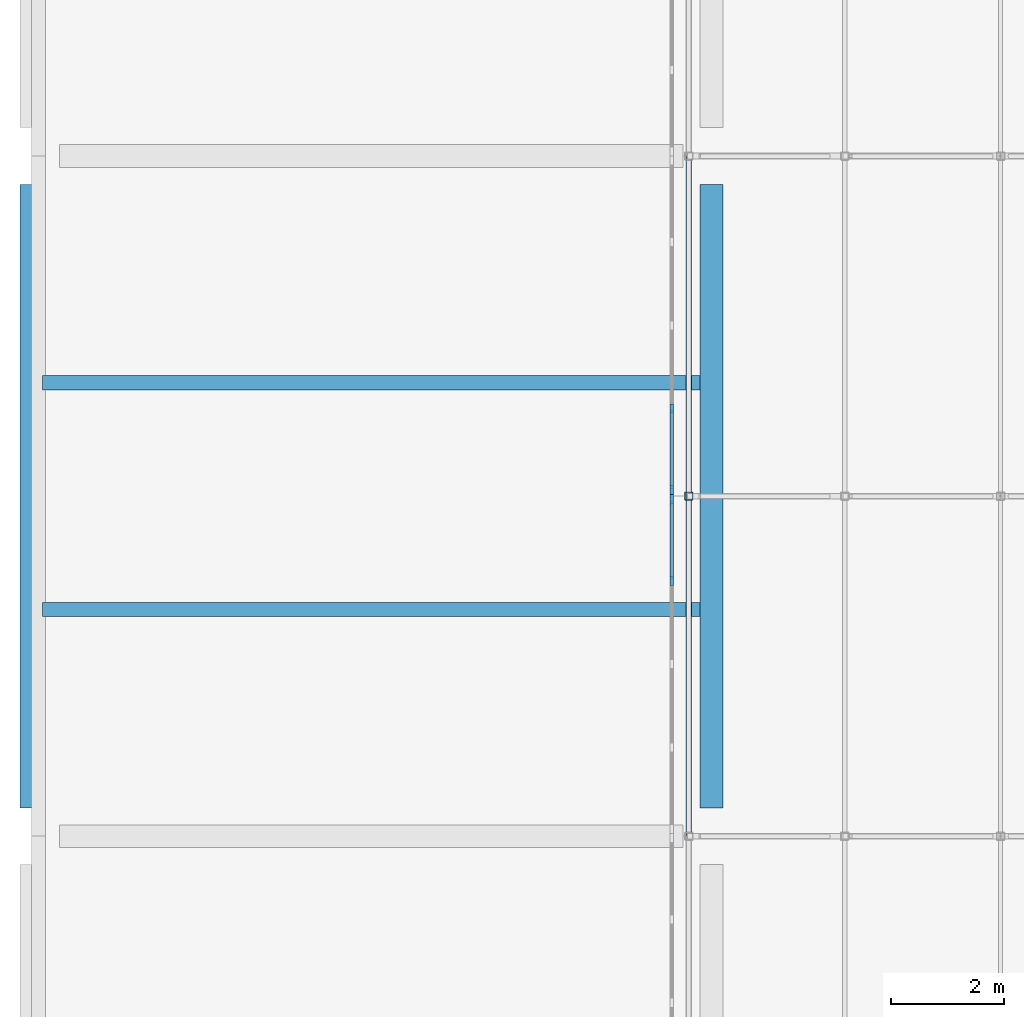
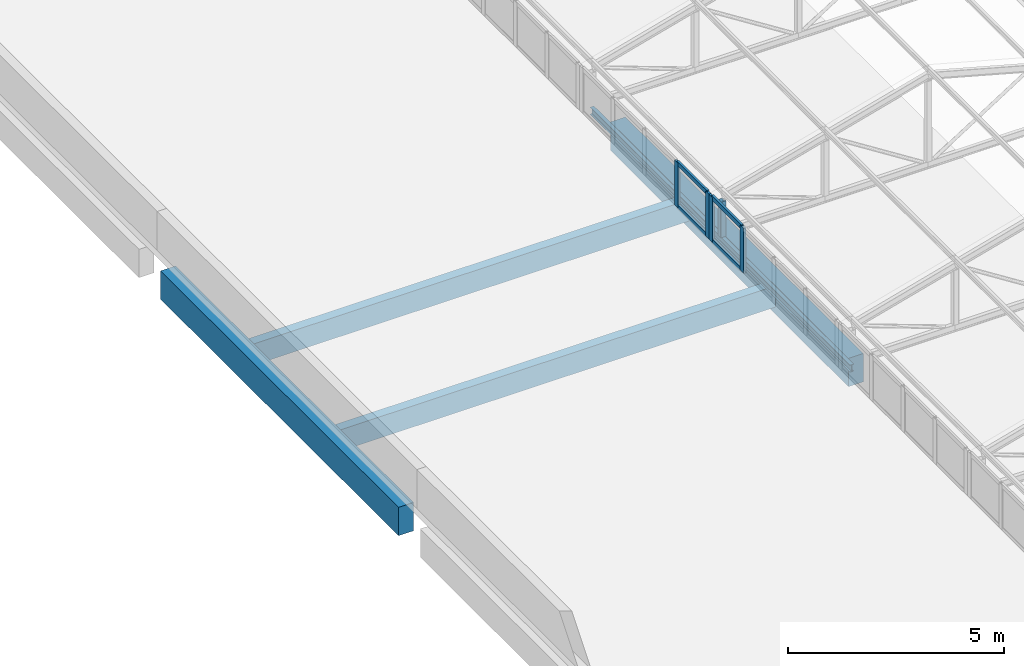
# One storey, part 28 of 94: 9 members, 5 beams, 2 elements without a shape of their own.
"""IFC4 building model written with IfcOpenShell, lengths in metres."""

from ifc_helpers import new_model, si_unit, direction, frame, origin, origin_2d, place, context, subcontext, project, spatial, rectangle, hollow_rectangle, i_section, extrude, material, layer, layer_set, material_profile, profile_set, type_object, element, aggregate, save


model = new_model("IFC4")

# Units and contexts
model_context = context("Model", 3, precision=1e-05, world=origin(), true_north=direction((0.0, 1.0)))
body_context = subcontext(model_context, "Body", "Model", "MODEL_VIEW")
ifc_project = project(units=[si_unit("LENGTHUNIT", "METRE"), si_unit("AREAUNIT", "SQUARE_METRE"), si_unit("VOLUMEUNIT", "CUBIC_METRE"), si_unit("PLANEANGLEUNIT", "RADIAN"), si_unit("MASSUNIT", "GRAM", prefix="KILO")], contexts=[model_context])

# Site, building, storey
site_placement = place(None, origin())
site = spatial("IfcSite", under=ifc_project, at=site_placement, CompositionType="ELEMENT")
building_placement = place(site_placement, origin())
building = spatial("IfcBuilding", under=site, at=building_placement, Name="Lilac Gate Convention Centre", CompositionType="ELEMENT")
storey_placement = place(building_placement, frame((0.0, 0.0, 21.0)))
storey = spatial("IfcBuildingStorey", under=building, at=storey_placement, Name="L04", CompositionType="ELEMENT", Elevation=21.0)

# Curtain wall, members
ifc_material_1 = material(Name="Aluminium framed double glazing", Category="aluminium")
ifc_layer = layer(ifc_material_1, 0.199951171875)
ifc_layer_set = layer_set([ifc_layer], Name="Aluminium framed double glazing")
curtain_wall_type = type_object("IfcCurtainWallType", Name="Unitised curtain wall 1500", PredefinedType="NOTDEFINED", material=ifc_layer_set)
curtain_wall_1_placement = place(storey_placement, origin())
curtain_wall_1 = element("IfcCurtainWall", 1, at=curtain_wall_1_placement, inside=storey, type_object=curtain_wall_type, Name="Lantern clerestory W 15", PredefinedType="NOTDEFINED")
ifc_material_2 = material(Name="Aluminium alloy 6063", Category="aluminium")
ifc_material_profile_1 = material_profile(ifc_material_2, rectangle(XDim=0.06005859375, YDim=0.159912109375, at=origin_2d()), Name="Curtain wall mullion 60 x 160")
ifc_profile_set_1 = profile_set([ifc_material_profile_1], Name="Aluminium alloy 6063")
member_type_1 = type_object("IfcMemberType", Name="Curtain wall mullion 60 x 160", PredefinedType="MULLION", material=ifc_profile_set_1)
member_1_placement = place(storey_placement, frame((17.300048828125, 118.50634765625, 0.0), z_axis=(0.0, 0.0, 1.0), x_axis=(-1.0, 0.0, 0.0)))
member_1 = element("IfcMember", 2, at=member_1_placement, type_object=member_type_1, Name="CW mullion 4", PredefinedType="MULLION", context=body_context, shape_type="SweptSolid", body=[
    extrude(rectangle(XDim=0.06005859375, YDim=0.159912109375, at=origin_2d()), origin(), (0.0, 0.0, 1.0), 1.272216796875),
])
member_2_placement = place(storey_placement, frame((17.300048828125, 119.945068359375, 0.0), z_axis=(0.0, 0.0, 1.0), x_axis=(-1.0, 0.0, 0.0)))
member_2 = element("IfcMember", 3, at=member_2_placement, type_object=member_type_1, Name="CW mullion 5", PredefinedType="MULLION", context=body_context, shape_type="SweptSolid", body=[
    extrude(rectangle(XDim=0.06005859375, YDim=0.159912109375, at=origin_2d()), origin(), (0.0, 0.0, 1.0), 1.272216796875),
])

curtain_wall_2_placement = place(storey_placement, origin())
curtain_wall_2 = element("IfcCurtainWall", 4, at=curtain_wall_2_placement, inside=storey, type_object=curtain_wall_type, Name="Lantern clerestory W 16", PredefinedType="NOTDEFINED")
member_3_placement = place(storey_placement, frame((17.300048828125, 120.10498046875, 0.0), z_axis=(0.0, 0.0, 1.0), x_axis=(-1.0, 0.0, 0.0)))
member_3 = element("IfcMember", 5, at=member_3_placement, type_object=member_type_1, Name="CW mullion 1", PredefinedType="MULLION", context=body_context, shape_type="SweptSolid", body=[
    extrude(rectangle(XDim=0.06005859375, YDim=0.159912109375, at=origin_2d()), origin(), (0.0, 0.0, 1.0), 1.272216796875),
])
member_4_placement = place(storey_placement, frame((17.300048828125, 121.543701171875, 0.0), z_axis=(0.0, 0.0, 1.0), x_axis=(-1.0, 0.0, 0.0)))
member_4 = element("IfcMember", 6, at=member_4_placement, type_object=member_type_1, Name="CW mullion 2", PredefinedType="MULLION", context=body_context, shape_type="SweptSolid", body=[
    extrude(rectangle(XDim=0.06005859375, YDim=0.159912109375, at=origin_2d()), origin(), (0.0, 0.0, 1.0), 1.272216796875),
])

# Member
ifc_material_profile_2 = material_profile(ifc_material_2, rectangle(XDim=0.06005859375, YDim=0.1201171875, at=origin_2d()), Name="Curtain wall transom 60 x 120")
ifc_profile_set_2 = profile_set([ifc_material_profile_2], Name="Aluminium alloy 6063")
member_type_2 = type_object("IfcMemberType", Name="Curtain wall transom 60 x 120", PredefinedType="USERDEFINED", material=ifc_profile_set_2)
member_5_placement = place(storey_placement, frame((17.300048828125, 118.536376953125, 0.030029296875), z_axis=(0.0, 1.0, 0.0), x_axis=(-1.0, 0.0, 0.0)))
member_5 = element("IfcMember", 7, at=member_5_placement, type_object=member_type_2, Name="CW transom 4.1", ObjectType="TRANSOM", PredefinedType="USERDEFINED", context=body_context, shape_type="SweptSolid", body=[
    extrude(rectangle(XDim=0.06005859375, YDim=0.1201171875, at=origin_2d()), origin(), (0.0, 0.0, 1.0), 1.378662109375),
])

member_6_placement = place(storey_placement, frame((17.300048828125, 118.536376953125, 1.2421875), z_axis=(0.0, 1.0, 0.0), x_axis=(-1.0, 0.0, 0.0)))
member_6 = element("IfcMember", 8, at=member_6_placement, type_object=member_type_2, Name="CW transom 4.2", ObjectType="TRANSOM", PredefinedType="USERDEFINED", context=body_context, shape_type="SweptSolid", body=[
    extrude(rectangle(XDim=0.06005859375, YDim=0.1201171875, at=origin_2d()), origin(), (0.0, 0.0, 1.0), 1.378662109375),
])

aggregate(curtain_wall_1, [member_1, member_2, member_5, member_6])

member_7_placement = place(storey_placement, frame((17.300048828125, 120.135009765625, 0.030029296875), z_axis=(0.0, 1.0, 0.0), x_axis=(-1.0, 0.0, 0.0)))
member_7 = element("IfcMember", 9, at=member_7_placement, type_object=member_type_2, Name="CW transom 1.1", ObjectType="TRANSOM", PredefinedType="USERDEFINED", context=body_context, shape_type="SweptSolid", body=[
    extrude(rectangle(XDim=0.06005859375, YDim=0.1201171875, at=origin_2d()), origin(), (0.0, 0.0, 1.0), 1.378662109375),
])

member_8_placement = place(storey_placement, frame((17.300048828125, 120.135009765625, 1.2421875), z_axis=(0.0, 1.0, 0.0), x_axis=(-1.0, 0.0, 0.0)))
member_8 = element("IfcMember", 10, at=member_8_placement, type_object=member_type_2, Name="CW transom 1.2", ObjectType="TRANSOM", PredefinedType="USERDEFINED", context=body_context, shape_type="SweptSolid", body=[
    extrude(rectangle(XDim=0.06005859375, YDim=0.1201171875, at=origin_2d()), origin(), (0.0, 0.0, 1.0), 1.378662109375),
])

aggregate(curtain_wall_2, [member_3, member_4, member_7, member_8])

ifc_material_3 = material(Name="Steel Q355B", Category="steel")
ifc_material_profile_3 = material_profile(ifc_material_3, hollow_rectangle(XDim=0.139892578125, YDim=0.139892578125, WallThickness=0.0048828125, InnerFilletRadius=0.0048828125, OuterFilletRadius=0.010009765625, at=origin_2d()), Name="SHS140x140x5")
ifc_profile_set_3 = profile_set([ifc_material_profile_3], Name="Steel Q355B")
member_type_3 = type_object("IfcMemberType", Name="Lantern post SHS140x140x5", PredefinedType="STRUT", material=ifc_profile_set_3)
member_9_placement = place(storey_placement, frame((17.60009765625, 120.0, 0.0), z_axis=(0.0, 0.0, 1.0), x_axis=(1.0, 0.0, 0.0)))
element("IfcMember", 11, at=member_9_placement, inside=storey, type_object=member_type_3, Name="LV1 lantern truss 16 post 1", PredefinedType="STRUT", context=body_context, shape_type="SweptSolid", body=[
    extrude(hollow_rectangle(XDim=0.139892578125, YDim=0.139892578125, WallThickness=0.0048828125, InnerFilletRadius=0.0048828125, OuterFilletRadius=0.010009765625, at=origin_2d()), origin(), (0.0, 0.0, 1.0), 1.001953125),
])

# Beams
ifc_material_profile_4 = material_profile(ifc_material_3, i_section(OverallWidth=0.10009765625, OverallDepth=0.199951171875, WebThickness=0.005615234375, FlangeThickness=0.008056640625, FilletRadius=0.008056640625, at=origin_2d()), Name="HN200x100x5.5x8")
ifc_profile_set_4 = profile_set([ifc_material_profile_4], Name="Steel Q355B")
beam_type_1 = type_object("IfcBeamType", Name="Steel edge beam HN200x100x5.5x8", PredefinedType="BEAM", material=ifc_profile_set_4)
beam_placement = place(storey_placement, frame((17.60009765625, 114.0, -0.10009765625), z_axis=(0.0, 1.0, 0.0), x_axis=(-1.0, 0.0, 0.0)))
element("IfcBeam", 12, at=beam_placement, inside=storey, type_object=beam_type_1, Name="LE2 lantern west edge beam 8", PredefinedType="BEAM", context=body_context, shape_type="SweptSolid", body=[
    extrude(i_section(OverallWidth=0.10009765625, OverallDepth=0.199951171875, WebThickness=0.005615234375, FlangeThickness=0.008056640625, FilletRadius=0.008056640625, at=origin_2d()), origin(), (0.0, 0.0, 1.0), 12.0),
])
ifc_material_4 = material(Name="Concrete C40", Category="concrete")
ifc_material_profile_5 = material_profile(ifc_material_4, rectangle(XDim=0.39990234375, YDim=0.800048828125, at=origin_2d()), Name="RC 400x800")
ifc_profile_set_5 = profile_set([ifc_material_profile_5], Name="Concrete C40")
beam_type_2 = type_object("IfcBeamType", Name="Tower primary beam 400x800 C40", PredefinedType="BEAM", material=ifc_profile_set_5)
for number, where, z_axis, x_axis, name in (
    (13, (6.0, 114.5, -0.60009765625), (0.0, 1.0, 0.0), (-1.0, 0.0, 0.0), "RB3 L04 1/H-1/J"),
    (14, (18.0, 114.5, -0.60009765625), (0.0, 1.0, 0.0), (-1.0, 0.0, 0.0), "RB3 L04 2/H-2/J"),
):
    element("IfcBeam", number, at=place(storey_placement, frame(where, z_axis=z_axis, x_axis=x_axis)), inside=storey, type_object=beam_type_2, Name=name, PredefinedType="BEAM", context=body_context, shape_type="SweptSolid", body=[
        extrude(rectangle(XDim=0.39990234375, YDim=0.800048828125, at=origin_2d()), origin(), (0.0, 0.0, 1.0), 11.0),
    ])
ifc_material_profile_6 = material_profile(ifc_material_4, rectangle(XDim=0.25, YDim=0.60009765625, at=origin_2d()), Name="RC 250x600")
ifc_profile_set_6 = profile_set([ifc_material_profile_6], Name="Concrete C40")
beam_type_3 = type_object("IfcBeamType", Name="Tower secondary beam 250x600 C40", PredefinedType="BEAM", material=ifc_profile_set_6)
for number, where, z_axis, x_axis, name in (
    (15, (6.199951171875, 118.0, -0.5), (1.0, 0.0, 0.0), (0.0, 1.0, 0.0), "RB4 L04 bay 1/H"),
    (16, (6.199951171875, 122.0, -0.5), (1.0, 0.0, 0.0), (0.0, 1.0, 0.0), "RB4 L04 bay 1/H"),
):
    element("IfcBeam", number, at=place(storey_placement, frame(where, z_axis=z_axis, x_axis=x_axis)), inside=storey, type_object=beam_type_3, Name=name, PredefinedType="BEAM", context=body_context, shape_type="SweptSolid", body=[
        extrude(rectangle(XDim=0.25, YDim=0.60009765625, at=origin_2d()), origin(), (0.0, 0.0, 1.0), 11.60009765625),
    ])

save(model, "model.ifc")
